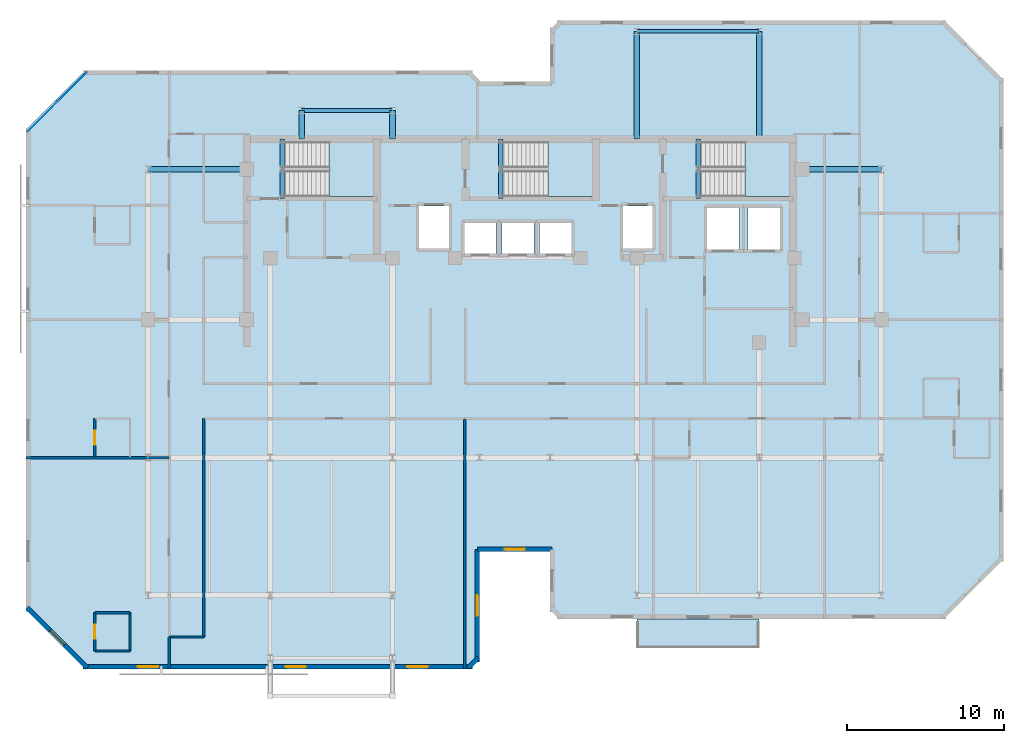
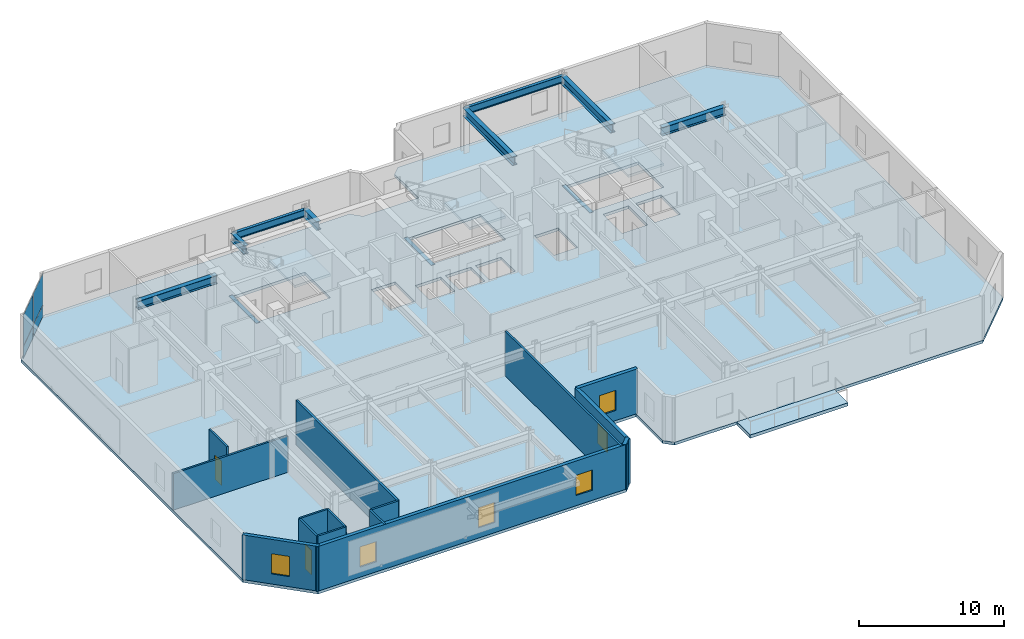
# One storey, part 3 of 10: 15 walls, 11 beams, 6 windows, 5 slabs, 4 plates, 2 doors, 8 openings, 4 elements without a shape of their own.
"""IFC4 building model written with IfcOpenShell, lengths in metres."""

from ifc_helpers import new_model, si_unit, direction, frame, frame_2d, origin, origin_2d, place, context, subcontext, project, spatial, polyline, rectangle, i_section, outline, extrude, material, layer, layer_set, material_profile, profile_set, type_object, element, fill, aggregate, save


model = new_model("IFC4")

# Units and contexts
model_context = context("Model", 3, precision=1e-05, world=origin(), true_north=direction((0.0, 1.0)))
body_context = subcontext(model_context, "Body", "Model", "MODEL_VIEW")
ifc_project = project(units=[si_unit("LENGTHUNIT", "METRE"), si_unit("AREAUNIT", "SQUARE_METRE"), si_unit("VOLUMEUNIT", "CUBIC_METRE"), si_unit("PLANEANGLEUNIT", "RADIAN"), si_unit("MASSUNIT", "GRAM", prefix="KILO")], contexts=[model_context])

# Site, building, storey
site_placement = place(None, origin())
site = spatial("IfcSite", under=ifc_project, at=site_placement, CompositionType="ELEMENT")
building_placement = place(site_placement, origin())
building = spatial("IfcBuilding", under=site, at=building_placement, Name="Kestravale Grand Hotel", CompositionType="ELEMENT")
storey_placement = place(building_placement, frame((0.0, 0.0, 269.39990234375)))
storey = spatial("IfcBuildingStorey", under=building, at=storey_placement, Name="L67", CompositionType="ELEMENT", Elevation=269.39990234375)

# Beams
ifc_material_1 = material(Name="Concrete f'c 45 MPa", Category="concrete")
ifc_material_profile_1 = material_profile(ifc_material_1, rectangle(XDim=0.300048828125, YDim=0.39990234375, at=origin_2d()))
ifc_profile_set_1 = profile_set([ifc_material_profile_1], Name="Concrete f'c 45 MPa")
beam_type_1 = type_object("IfcBeamType", Name="B-FLR-LNT400", PredefinedType="LINTEL", material=ifc_profile_set_1)
for number, where, z_axis, x_axis, name in (
    (1, (24.159912109375, 36.52001953125, -0.199951171875), (0.0, 1.0, 0.0), (-1.0, 0.0, 0.0), "L67 ST1 flight bottom header beam"),
    (2, (38.110107421875, 36.52001953125, -0.199951171875), (0.0, 1.0, 0.0), (-1.0, 0.0, 0.0), "L67 ST2 flight bottom header beam"),
    (3, (50.7099609375, 36.52001953125, -0.199951171875), (0.0, 1.0, 0.0), (-1.0, 0.0, 0.0), "L67 ST3 flight bottom header beam"),
):
    element("IfcBeam", number, at=place(storey_placement, frame(where, z_axis=z_axis, x_axis=x_axis)), inside=storey, type_object=beam_type_1, Name=name, PredefinedType="LINTEL", context=body_context, shape_type="SweptSolid", body=[
        extrude(rectangle(XDim=0.300048828125, YDim=0.39990234375, at=origin_2d()), origin(), (0.0, 0.0, 1.0), 3.800048828125),
    ])
ifc_material_2 = material(Name="Steel ASTM A992 Grade 50", Category="steel")
ifc_material_profile_2 = material_profile(ifc_material_2, i_section(OverallWidth=0.22900390625, OverallDepth=0.612060546875, WebThickness=0.011962890625, FlangeThickness=0.01953125, FilletRadius=0.019287109375, at=origin_2d()))
ifc_profile_set_2 = profile_set([ifc_material_profile_2], Name="Steel ASTM A992 Grade 50")
beam_type_2 = type_object("IfcBeamType", Name="B-FLR-W24B", PredefinedType="SPANDREL", material=ifc_profile_set_2)
beam_1_placement = place(storey_placement, frame((46.800048828125, 47.199951171875, 3.4541015625), z_axis=(1.0, 0.0, 0.0), x_axis=(0.0, 1.0, 0.0)))
element("IfcBeam", 4, at=beam_1_placement, inside=storey, type_object=beam_type_2, Name="L67 spandrel G:8-9", PredefinedType="SPANDREL", context=body_context, shape_type="SweptSolid", body=[
    extrude(i_section(OverallWidth=0.22900390625, OverallDepth=0.612060546875, WebThickness=0.011962890625, FlangeThickness=0.01953125, FilletRadius=0.019287109375, at=origin_2d()), origin(), (0.0, 0.0, 1.0), 7.800048828125),
])
beam_2_placement = place(storey_placement, frame((25.39990234375, 42.14990234375, 3.4541015625), z_axis=(1.0, 0.0, 0.0), x_axis=(0.0, 1.0, 0.0)))
element("IfcBeam", 5, at=beam_2_placement, inside=storey, type_object=beam_type_2, Name="L67 perimeter tie spandrel FN:4-5", PredefinedType="SPANDREL", context=body_context, shape_type="SweptSolid", body=[
    extrude(i_section(OverallWidth=0.22900390625, OverallDepth=0.612060546875, WebThickness=0.011962890625, FlangeThickness=0.01953125, FilletRadius=0.019287109375, at=origin_2d()), origin(), (0.0, 0.0, 1.0), 5.800048828125),
])
ifc_material_3 = material(Name="Steel ASTM A992 Grade 50", Category="steel")
ifc_material_profile_3 = material_profile(ifc_material_3, i_section(OverallWidth=0.35595703125, OverallDepth=0.696044921875, WebThickness=0.015380859375, FlangeThickness=0.02490234375, FilletRadius=0.021240234375, at=origin_2d()))
ifc_profile_set_3 = profile_set([ifc_material_profile_3], Name="Steel ASTM A992 Grade 50")
beam_type_3 = type_object("IfcBeamType", Name="B-GRD-W27", PredefinedType="BEAM", material=ifc_profile_set_3)
beam_3_placement = place(storey_placement, frame((15.60009765625, 38.39990234375, 3.412109375), z_axis=(1.0, 0.0, 0.0), x_axis=(0.0, 1.0, 0.0)))
element("IfcBeam", 6, at=beam_3_placement, inside=storey, type_object=beam_type_3, Name="L67 girder F:3-CW", PredefinedType="BEAM", context=body_context, shape_type="SweptSolid", body=[
    extrude(i_section(OverallWidth=0.35595703125, OverallDepth=0.696044921875, WebThickness=0.015380859375, FlangeThickness=0.02490234375, FilletRadius=0.021240234375, at=origin_2d()), origin(), (0.0, 0.0, 1.0), 6.2998046875),
])
beam_4_placement = place(storey_placement, frame((57.35009765625, 38.39990234375, 3.412109375), z_axis=(1.0, 0.0, 0.0), x_axis=(0.0, 1.0, 0.0)))
element("IfcBeam", 7, at=beam_4_placement, inside=storey, type_object=beam_type_3, Name="L67 girder F:CE-10", PredefinedType="BEAM", context=body_context, shape_type="SweptSolid", body=[
    extrude(i_section(OverallWidth=0.35595703125, OverallDepth=0.696044921875, WebThickness=0.015380859375, FlangeThickness=0.02490234375, FilletRadius=0.021240234375, at=origin_2d()), origin(), (0.0, 0.0, 1.0), 5.0498046875),
])
for number, where, z_axis, x_axis, name in (
    (8, (25.39990234375, 40.320068359375, 3.412109375), (0.0, 1.0, 0.0), (-1.0, 0.0, 0.0), "L67 north wing tie girder 4:CN-FN"),
    (9, (31.199951171875, 40.320068359375, 3.412109375), (0.0, 1.0, 0.0), (-1.0, 0.0, 0.0), "L67 north wing tie girder 5:CN-FN"),
):
    element("IfcBeam", number, at=place(storey_placement, frame(where, z_axis=z_axis, x_axis=x_axis)), inside=storey, type_object=beam_type_3, Name=name, PredefinedType="BEAM", context=body_context, shape_type="SweptSolid", body=[
        extrude(i_section(OverallWidth=0.35595703125, OverallDepth=0.696044921875, WebThickness=0.015380859375, FlangeThickness=0.02490234375, FilletRadius=0.021240234375, at=origin_2d()), origin(), (0.0, 0.0, 1.0), 1.829833984375),
    ])
for number, where, z_axis, x_axis, name in (
    (10, (46.800048828125, 40.320068359375, 3.412109375), (0.0, 1.0, 0.0), (-1.0, 0.0, 0.0), "L67 north wing tie girder 8:CN-G"),
    (11, (54.60009765625, 40.320068359375, 3.412109375), (0.0, 1.0, 0.0), (-1.0, 0.0, 0.0), "L67 north wing tie girder 9:CN-G"),
):
    element("IfcBeam", number, at=place(storey_placement, frame(where, z_axis=z_axis, x_axis=x_axis)), inside=storey, type_object=beam_type_3, Name=name, PredefinedType="BEAM", context=body_context, shape_type="SweptSolid", body=[
        extrude(i_section(OverallWidth=0.35595703125, OverallDepth=0.696044921875, WebThickness=0.015380859375, FlangeThickness=0.02490234375, FilletRadius=0.021240234375, at=origin_2d()), origin(), (0.0, 0.0, 1.0), 6.8798828125),
    ])

# Curtain wall, plates
ifc_material_4 = material(Name="Thermally broken champagne-bronze aluminium and low-E glazing", Category="aluminium")
ifc_layer_1 = layer(ifc_material_4, 0.179931640625)
ifc_layer_set_1 = layer_set([ifc_layer_1], Name="CW-Z4")
curtain_wall_type = type_object("IfcCurtainWallType", Name="CW-Z4", PredefinedType="NOTDEFINED", material=ifc_layer_set_1)
curtain_wall_placement = place(storey_placement, origin())
curtain_wall = element("IfcCurtainWall", 12, at=curtain_wall_placement, inside=storey, type_object=curtain_wall_type, Name="L67 unitised curtain wall 18", PredefinedType="NOTDEFINED")
ifc_material_5 = material(Name="Insulated clear low-E double glazing IGU", Category="glass")
ifc_layer_2 = layer(ifc_material_5, 0.028076171875)
ifc_layer_set_2 = layer_set([ifc_layer_2], Name="CW-PNL-28")
plate_type = type_object("IfcPlateType", Name="CW-PNL-28", PredefinedType="CURTAIN_PANEL", material=ifc_layer_set_2)
plate_1_placement = place(storey_placement, frame((10.74462890625, 43.646728515625, 0.06494140625), z_axis=(0.0, 0.0, 1.0), x_axis=(-0.707106781187, -0.707106781187, 0.0)))
plate_1 = element("IfcPlate", 13, at=plate_1_placement, type_object=plate_type, Name="CW-Z4 panel 1.1", PredefinedType="CURTAIN_PANEL", context=body_context, shape_type="SweptSolid", body=[
    extrude(rectangle(XDim=2.609619140625, YDim=0.028076171875, at=origin_2d()), origin(), (0.0, 0.0, 1.0), 0.952392578125),
])
plate_2_placement = place(storey_placement, frame((10.74462890625, 43.646728515625, 1.08251953125), z_axis=(0.0, 0.0, 1.0), x_axis=(-0.707106781187, -0.707106781187, 0.0)))
plate_2 = element("IfcPlate", 14, at=plate_2_placement, type_object=plate_type, Name="CW-Z4 panel 1.2", PredefinedType="CURTAIN_PANEL", context=body_context, shape_type="SweptSolid", body=[
    extrude(rectangle(XDim=2.609619140625, YDim=0.028076171875, at=origin_2d()), origin(), (0.0, 0.0, 1.0), 2.612548828125),
])
plate_3_placement = place(storey_placement, frame((8.853271484375, 41.75537109375, 0.06494140625), z_axis=(0.0, 0.0, 1.0), x_axis=(-0.707106781187, -0.707106781187, 0.0)))
plate_3 = element("IfcPlate", 15, at=plate_3_placement, type_object=plate_type, Name="CW-Z4 panel 2.1", PredefinedType="CURTAIN_PANEL", context=body_context, shape_type="SweptSolid", body=[
    extrude(rectangle(XDim=2.609619140625, YDim=0.028076171875, at=origin_2d()), origin(), (0.0, 0.0, 1.0), 0.952392578125),
])
plate_4_placement = place(storey_placement, frame((8.853271484375, 41.75537109375, 1.08251953125), z_axis=(0.0, 0.0, 1.0), x_axis=(-0.707106781187, -0.707106781187, 0.0)))
plate_4 = element("IfcPlate", 16, at=plate_4_placement, type_object=plate_type, Name="CW-Z4 panel 2.2", PredefinedType="CURTAIN_PANEL", context=body_context, shape_type="SweptSolid", body=[
    extrude(rectangle(XDim=2.609619140625, YDim=0.028076171875, at=origin_2d()), origin(), (0.0, 0.0, 1.0), 2.612548828125),
])
aggregate(curtain_wall, [plate_1, plate_2, plate_3, plate_4])

# Slab
ifc_material_6 = material(Name="Concrete f'c 45 MPa", Category="concrete")
ifc_layer_3 = layer(ifc_material_6, 0.27001953125)
ifc_layer_set_3 = layer_set([ifc_layer_3], Name="ES-TERR-270")
slab_type_1 = type_object("IfcSlabType", Name="ES-TERR-270", PredefinedType="FLOOR", material=ifc_layer_set_3)
slab_1_placement = place(storey_placement, frame((0.0, 0.0, -0.27001953125)))
element("IfcSlab", 17, at=slab_1_placement, inside=storey, type_object=slab_type_1, Name="L67 spiralling planted garden terrace", PredefinedType="FLOOR", context=body_context, shape_type="SweptSolid", body=[
    extrude(outline(polyline([(46.800048828125, 7.85009765625), (54.60009765625, 7.85009765625), (54.60009765625, 9.699951171875), (46.800048828125, 9.699951171875), (46.800048828125, 7.85009765625)])), origin(), (0.0, 0.0, 1.0), 0.27001953125),
])

# Stair, slab
ifc_material_7 = material(Name="Concrete f'c 45 MPa", Category="concrete")
stair_type = type_object("IfcStairType", Name="ST-CORE-400", PredefinedType="HALF_TURN_STAIR", material=ifc_material_7)
stair_1_placement = place(storey_placement, origin())
stair_1 = element("IfcStair", 18, at=stair_1_placement, inside=storey, type_object=stair_type, Name="L67 ST-1", PredefinedType="HALF_TURN_STAIR")
ifc_material_8 = material(Name="Concrete f'c 45 MPa", Category="concrete")
ifc_layer_4 = layer(ifc_material_8, 0.199951171875)
ifc_layer_set_4 = layer_set([ifc_layer_4], Name="SLB-ST-LND200")
slab_type_2 = type_object("IfcSlabType", Name="SLB-ST-LND200", PredefinedType="LANDING", material=ifc_layer_set_4)
slab_2_placement = place(storey_placement, frame((0.0, 0.0, 1.800048828125)))
slab_2 = element("IfcSlab", 19, at=slab_2_placement, type_object=slab_type_2, Name="ST-1 landing 1", PredefinedType="LANDING", context=body_context, shape_type="SweptSolid", body=[
    extrude(outline(polyline([(27.159912109375, 36.64990234375), (30.0, 36.64990234375), (30.0, 40.159912109375), (27.159912109375, 40.159912109375), (27.159912109375, 36.64990234375)])), origin(), (0.0, 0.0, 1.0), 0.199951171875),
])
aggregate(stair_1, [slab_2])

stair_2_placement = place(storey_placement, origin())
stair_2 = element("IfcStair", 20, at=stair_2_placement, inside=storey, type_object=stair_type, Name="L67 ST-2", PredefinedType="HALF_TURN_STAIR")
slab_3_placement = place(storey_placement, frame((0.0, 0.0, 1.800048828125)))
slab_3 = element("IfcSlab", 21, at=slab_3_placement, type_object=slab_type_2, Name="ST-2 landing 1", PredefinedType="LANDING", context=body_context, shape_type="SweptSolid", body=[
    extrude(outline(polyline([(41.110107421875, 36.64990234375), (43.949951171875, 36.64990234375), (43.949951171875, 40.159912109375), (41.110107421875, 40.159912109375), (41.110107421875, 36.64990234375)])), origin(), (0.0, 0.0, 1.0), 0.199951171875),
])
aggregate(stair_2, [slab_3])

stair_3_placement = place(storey_placement, origin())
stair_3 = element("IfcStair", 22, at=stair_3_placement, inside=storey, type_object=stair_type, Name="L67 ST-3", PredefinedType="HALF_TURN_STAIR")
slab_4_placement = place(storey_placement, frame((0.0, 0.0, 1.800048828125)))
slab_4 = element("IfcSlab", 23, at=slab_4_placement, type_object=slab_type_2, Name="ST-3 landing 1", PredefinedType="LANDING", context=body_context, shape_type="SweptSolid", body=[
    extrude(outline(polyline([(53.7099609375, 36.64990234375), (56.550048828125, 36.64990234375), (56.550048828125, 40.159912109375), (53.7099609375, 40.159912109375), (53.7099609375, 36.64990234375)])), origin(), (0.0, 0.0, 1.0), 0.199951171875),
])
aggregate(stair_3, [slab_4])

# Slab
ifc_material_9 = material(Name="Concrete f'c 45 MPa", Category="concrete")
ifc_layer_5 = layer(ifc_material_9, 0.239990234375)
ifc_layer_set_5 = layer_set([ifc_layer_5], Name="SS-FLR-240")
slab_type_3 = type_object("IfcSlabType", Name="SS-FLR-240", PredefinedType="FLOOR", material=ifc_layer_set_5)
slab_5_placement = place(storey_placement, frame((0.0, 0.0, -0.239990234375)))
element("IfcSlab", 24, at=slab_5_placement, inside=storey, type_object=slab_type_3, Name="L67 structural floor slab", PredefinedType="FLOOR", context=body_context, shape_type="SweptSolid", body=[
    extrude(outline(polyline([(11.60009765625, 6.5), (36.14990234375, 6.5), (36.75, 7.10009765625), (36.75, 14.0), (41.25, 14.0), (41.25, 10.300048828125), (41.85009765625, 9.699951171875), (66.39990234375, 9.699951171875), (70.199951171875, 13.5), (70.199951171875, 44.10009765625), (66.39990234375, 47.89990234375), (41.85009765625, 47.89990234375), (41.25, 47.300048828125), (41.25, 44.0), (36.75, 44.0), (36.75, 44.10009765625), (36.14990234375, 44.699951171875), (11.60009765625, 44.699951171875), (7.800048828125, 40.89990234375), (7.800048828125, 10.300048828125), (11.60009765625, 6.5)]), holes=[polyline([(24.080078125, 36.64990234375), (30.0, 36.64990234375), (30.0, 40.159912109375), (24.080078125, 40.159912109375), (24.080078125, 36.64990234375)]), polyline([(38.030029296875, 36.64990234375), (43.949951171875, 36.64990234375), (43.949951171875, 40.159912109375), (38.030029296875, 40.159912109375), (38.030029296875, 36.64990234375)]), polyline([(50.6298828125, 36.64990234375), (56.550048828125, 36.64990234375), (56.550048828125, 40.159912109375), (50.6298828125, 40.159912109375), (50.6298828125, 36.64990234375)]), polyline([(35.780029296875, 33.030029296875), (37.820068359375, 33.030029296875), (37.820068359375, 34.969970703125), (35.780029296875, 34.969970703125), (35.780029296875, 33.030029296875)]), polyline([(38.179931640625, 33.030029296875), (40.219970703125, 33.030029296875), (40.219970703125, 34.969970703125), (38.179931640625, 34.969970703125), (38.179931640625, 33.030029296875)]), polyline([(40.580078125, 33.030029296875), (42.6201171875, 33.030029296875), (42.6201171875, 34.969970703125), (40.580078125, 34.969970703125), (40.580078125, 33.030029296875)]), polyline([(32.905029296875, 33.35498046875), (34.794921875, 33.35498046875), (34.794921875, 36.044921875), (32.905029296875, 36.044921875), (32.905029296875, 33.35498046875)]), polyline([(45.905029296875, 33.35498046875), (47.794921875, 33.35498046875), (47.794921875, 36.044921875), (45.905029296875, 36.044921875), (45.905029296875, 33.35498046875)]), polyline([(51.280029296875, 33.280029296875), (53.320068359375, 33.280029296875), (53.320068359375, 35.919921875), (51.280029296875, 35.919921875), (51.280029296875, 33.280029296875)]), polyline([(53.8798828125, 33.280029296875), (55.919921875, 33.280029296875), (55.919921875, 35.919921875), (53.8798828125, 35.919921875), (53.8798828125, 33.280029296875)])]), origin(), (0.0, 0.0, 1.0), 0.239990234375),
])

# Wall, openings, windows
ifc_material_10 = material(Name="Precast concrete f'c 45 MPa", Category="concrete")
ifc_layer_6 = layer(ifc_material_10, 0.280029296875)
ifc_layer_set_6 = layer_set([ifc_layer_6], Name="EW-PREC-280")
wall_type_1 = type_object("IfcWallType", Name="EW-PREC-280", PredefinedType="SOLIDWALL", material=ifc_layer_set_6)
wall_1_placement = place(storey_placement, frame((11.4599609375, 6.639892578125, 0.0), z_axis=(0.0, 0.0, 1.0), x_axis=(1.0, 0.0, 0.0)))
wall_1 = element("IfcWall", 25, at=wall_1_placement, inside=storey, type_object=wall_type_1, Name="L67 fluted precast facade wall 1", PredefinedType="SOLIDWALL", context=body_context, shape_type="SweptSolid", body=[
    extrude(rectangle(XDim=24.830078125, YDim=0.280029296875, at=frame_2d((12.4150390625, 0.0))), origin(), (0.0, 0.0, 1.0), 3.760009765625),
])
opening_1_placement = place(wall_1_placement, frame((3.48828125, 0.0, 0.85009765625)))
opening_1 = element("IfcOpeningElement", 26, at=opening_1_placement, cuts=wall_1, Name="Opening W-GUEST-1300", PredefinedType="OPENING", context=body_context, shape_type="SweptSolid", body=[
    extrude(rectangle(XDim=1.300048828125, YDim=1.699951171875, at=frame_2d((0.64990234375, 0.85009765625))), frame((0.0, 0.14990234375, 0.0), z_axis=(0.0, -1.0, 0.0), x_axis=(1.0, 0.0, 0.0)), (0.0, 0.0, 1.0), 0.300048828125),
])
opening_2_placement = place(wall_1_placement, frame((12.9150390625, 0.0, 0.85009765625)))
opening_2 = element("IfcOpeningElement", 27, at=opening_2_placement, cuts=wall_1, Name="Opening W-GUEST-1300", PredefinedType="OPENING", context=body_context, shape_type="SweptSolid", body=[
    extrude(rectangle(XDim=1.300048828125, YDim=1.699951171875, at=frame_2d((0.64990234375, 0.85009765625))), frame((0.0, 0.14990234375, 0.0), z_axis=(0.0, -1.0, 0.0), x_axis=(1.0, 0.0, 0.0)), (0.0, 0.0, 1.0), 0.300048828125),
])
opening_3_placement = place(wall_1_placement, frame((20.691650390625, 0.0, 0.85009765625)))
opening_3 = element("IfcOpeningElement", 28, at=opening_3_placement, cuts=wall_1, Name="Opening W-GUEST-1300", PredefinedType="OPENING", context=body_context, shape_type="SweptSolid", body=[
    extrude(rectangle(XDim=1.300048828125, YDim=1.699951171875, at=frame_2d((0.64990234375, 0.85009765625))), frame((0.0, 0.14990234375, 0.0), z_axis=(0.0, -1.0, 0.0), x_axis=(1.0, 0.0, 0.0)), (0.0, 0.0, 1.0), 0.300048828125),
])
ifc_material_11 = material(Name="Insulated low-E double glazing in aluminium frame", Category="aluminium")
window_type = type_object("IfcWindowType", Name="W-GUEST-1300", PartitioningType="SINGLE_PANEL", PredefinedType="WINDOW", material=ifc_material_11)
window_1_placement = place(opening_1_placement, origin())
window_1 = element("IfcWindow", 29, at=window_1_placement, inside=storey, type_object=window_type, Name="L67 exterior window 1.1", OverallHeight=1.699951171875, OverallWidth=1.300048828125, PartitioningType="SINGLE_PANEL", PredefinedType="WINDOW", context=body_context, shape_type="SweptSolid", body=[
    extrude(rectangle(XDim=1.300048828125, YDim=1.699951171875, at=frame_2d((0.64990234375, 0.85009765625))), frame((0.0, 0.030029296875, 0.0), z_axis=(0.0, -1.0, 0.0), x_axis=(1.0, 0.0, 0.0)), (0.0, 0.0, 1.0), 0.06005859375),
])
fill(opening_1, window_1)
window_2_placement = place(opening_2_placement, origin())
window_2 = element("IfcWindow", 30, at=window_2_placement, inside=storey, type_object=window_type, Name="L67 exterior window 1.2", OverallHeight=1.699951171875, OverallWidth=1.300048828125, PartitioningType="SINGLE_PANEL", PredefinedType="WINDOW", context=body_context, shape_type="SweptSolid", body=[
    extrude(rectangle(XDim=1.300048828125, YDim=1.699951171875, at=frame_2d((0.64990234375, 0.85009765625))), frame((0.0, 0.030029296875, 0.0), z_axis=(0.0, -1.0, 0.0), x_axis=(1.0, 0.0, 0.0)), (0.0, 0.0, 1.0), 0.06005859375),
])
fill(opening_2, window_2)
window_3_placement = place(opening_3_placement, origin())
window_3 = element("IfcWindow", 31, at=window_3_placement, inside=storey, type_object=window_type, Name="L67 exterior window 1.3", OverallHeight=1.699951171875, OverallWidth=1.300048828125, PartitioningType="SINGLE_PANEL", PredefinedType="WINDOW", context=body_context, shape_type="SweptSolid", body=[
    extrude(rectangle(XDim=1.300048828125, YDim=1.699951171875, at=frame_2d((0.64990234375, 0.85009765625))), frame((0.0, 0.030029296875, 0.0), z_axis=(0.0, -1.0, 0.0), x_axis=(1.0, 0.0, 0.0)), (0.0, 0.0, 1.0), 0.06005859375),
])
fill(opening_3, window_3)

# Wall
wall_2_placement = place(storey_placement, frame((36.022705078125, 6.57080078125, 0.0), z_axis=(0.0, 0.0, 1.0), x_axis=(0.707106781187, 0.707106781187, 0.0)))
element("IfcWall", 32, at=wall_2_placement, inside=storey, type_object=wall_type_1, Name="L67 fluted precast facade wall 2", PredefinedType="SOLIDWALL", context=body_context, shape_type="SweptSolid", body=[
    extrude(rectangle(XDim=0.928466796875, YDim=0.280029296875, at=frame_2d((0.46435546875, 0.0))), origin(), (0.0, 0.0, 1.0), 3.760009765625),
])

# Wall, opening, window
wall_3_placement = place(storey_placement, frame((36.610107421875, 6.9599609375, 0.0), z_axis=(0.0, 0.0, 1.0), x_axis=(0.0, 1.0, 0.0)))
wall_3 = element("IfcWall", 33, at=wall_3_placement, inside=storey, type_object=wall_type_1, Name="L67 fluted precast facade wall 3", PredefinedType="SOLIDWALL", context=body_context, shape_type="SweptSolid", body=[
    extrude(rectangle(XDim=7.179931640625, YDim=0.280029296875, at=frame_2d((3.58984375, 0.0))), origin(), (0.0, 0.0, 1.0), 3.760009765625),
])
opening_4_placement = place(wall_3_placement, frame((2.93994140625, 0.0, 0.85009765625)))
opening_4 = element("IfcOpeningElement", 34, at=opening_4_placement, cuts=wall_3, Name="Opening W-GUEST-1300", PredefinedType="OPENING", context=body_context, shape_type="SweptSolid", body=[
    extrude(rectangle(XDim=1.300048828125, YDim=1.699951171875, at=frame_2d((0.64990234375, 0.85009765625))), frame((0.0, 0.14990234375, 0.0), z_axis=(0.0, -1.0, 0.0), x_axis=(1.0, 0.0, 0.0)), (0.0, 0.0, 1.0), 0.300048828125),
])
window_4_placement = place(opening_4_placement, origin())
window_4 = element("IfcWindow", 35, at=window_4_placement, inside=storey, type_object=window_type, Name="L67 exterior window 3.1", OverallHeight=1.699951171875, OverallWidth=1.300048828125, PartitioningType="SINGLE_PANEL", PredefinedType="WINDOW", context=body_context, shape_type="SweptSolid", body=[
    extrude(rectangle(XDim=1.300048828125, YDim=1.699951171875, at=frame_2d((0.64990234375, 0.85009765625))), frame((0.0, 0.030029296875, 0.0), z_axis=(0.0, -1.0, 0.0), x_axis=(1.0, 0.0, 0.0)), (0.0, 0.0, 1.0), 0.06005859375),
])
fill(opening_4, window_4)

wall_4_placement = place(storey_placement, frame((36.610107421875, 14.139892578125, 0.0), z_axis=(0.0, 0.0, 1.0), x_axis=(1.0, 0.0, 0.0)))
wall_4 = element("IfcWall", 36, at=wall_4_placement, inside=storey, type_object=wall_type_1, Name="L67 fluted precast facade wall 4", PredefinedType="SOLIDWALL", context=body_context, shape_type="SweptSolid", body=[
    extrude(rectangle(XDim=4.77978515625, YDim=0.280029296875, at=frame_2d((2.389892578125, 0.0))), origin(), (0.0, 0.0, 1.0), 3.760009765625),
])
opening_5_placement = place(wall_4_placement, frame((1.739990234375, 0.0, 0.85009765625)))
opening_5 = element("IfcOpeningElement", 37, at=opening_5_placement, cuts=wall_4, Name="Opening W-GUEST-1300", PredefinedType="OPENING", context=body_context, shape_type="SweptSolid", body=[
    extrude(rectangle(XDim=1.300048828125, YDim=1.699951171875, at=frame_2d((0.64990234375, 0.85009765625))), frame((0.0, 0.14990234375, 0.0), z_axis=(0.0, -1.0, 0.0), x_axis=(1.0, 0.0, 0.0)), (0.0, 0.0, 1.0), 0.300048828125),
])
window_5_placement = place(opening_5_placement, origin())
window_5 = element("IfcWindow", 38, at=window_5_placement, inside=storey, type_object=window_type, Name="L67 exterior window 4.1", OverallHeight=1.699951171875, OverallWidth=1.300048828125, PartitioningType="SINGLE_PANEL", PredefinedType="WINDOW", context=body_context, shape_type="SweptSolid", body=[
    extrude(rectangle(XDim=1.300048828125, YDim=1.699951171875, at=frame_2d((0.64990234375, 0.85009765625))), frame((0.0, 0.030029296875, 0.0), z_axis=(0.0, -1.0, 0.0), x_axis=(1.0, 0.0, 0.0)), (0.0, 0.0, 1.0), 0.06005859375),
])
fill(opening_5, window_5)

wall_5_placement = place(storey_placement, frame((7.87060546875, 10.42724609375, 0.0), z_axis=(0.0, 0.0, 1.0), x_axis=(0.707129162587, -0.707084399077, 0.0)))
wall_5 = element("IfcWall", 39, at=wall_5_placement, inside=storey, type_object=wall_type_1, Name="L67 fluted precast facade wall 20", PredefinedType="SOLIDWALL", context=body_context, shape_type="SweptSolid", body=[
    extrude(rectangle(XDim=5.4541015625, YDim=0.280029296875, at=frame_2d((2.72705078125, 0.0))), origin(), (0.0, 0.0, 1.0), 3.760009765625),
])
opening_6_placement = place(wall_5_placement, frame((2.076904296875, 0.0, 0.85009765625)))
opening_6 = element("IfcOpeningElement", 40, at=opening_6_placement, cuts=wall_5, Name="Opening W-GUEST-1300", PredefinedType="OPENING", context=body_context, shape_type="SweptSolid", body=[
    extrude(rectangle(XDim=1.300048828125, YDim=1.699951171875, at=frame_2d((0.64990234375, 0.85009765625))), frame((0.0, 0.14990234375, 0.0), z_axis=(0.0, -1.0, 0.0), x_axis=(1.0, 0.0, 0.0)), (0.0, 0.0, 1.0), 0.300048828125),
])
window_6_placement = place(opening_6_placement, origin())
window_6 = element("IfcWindow", 41, at=window_6_placement, inside=storey, type_object=window_type, Name="L67 exterior window 20.1", OverallHeight=1.699951171875, OverallWidth=1.300048828125, PartitioningType="SINGLE_PANEL", PredefinedType="WINDOW", context=body_context, shape_type="SweptSolid", body=[
    extrude(rectangle(XDim=1.300048828125, YDim=1.699951171875, at=frame_2d((0.64990234375, 0.85009765625))), frame((0.0, 0.030029296875, 0.0), z_axis=(0.0, -1.0, 0.0), x_axis=(1.0, 0.0, 0.0)), (0.0, 0.0, 1.0), 0.06005859375),
])
fill(opening_6, window_6)

# Wall
ifc_material_12 = material(Name="Acoustic fire-rated gypsum board partition", Category="other")
ifc_layer_7 = layer(ifc_material_12, 0.159912109375)
ifc_layer_set_7 = layer_set([ifc_layer_7], Name="IW-CORR-160")
wall_type_2 = type_object("IfcWallType", Name="IW-CORR-160", PredefinedType="PARTITIONING", material=ifc_layer_set_7)
wall_6_placement = place(storey_placement, frame((19.159912109375, 8.550048828125, 0.0), z_axis=(0.0, 0.0, 1.0), x_axis=(0.0, 1.0, 0.0)))
element("IfcWall", 42, at=wall_6_placement, inside=storey, type_object=wall_type_2, Name="W-L67-SW-E", PredefinedType="PARTITIONING", context=body_context, shape_type="SweptSolid", body=[
    extrude(rectangle(XDim=13.93994140625, YDim=0.159912109375, at=frame_2d((6.969970703125, 0.0))), origin(), (0.0, 0.0, 1.0), 3.760009765625),
])

# Wall, opening, door
ifc_material_13 = material(Name="Moisture-resistant tile-backer plumbing chase wall", Category="other")
ifc_layer_8 = layer(ifc_material_13, 0.139892578125)
ifc_layer_set_8 = layer_set([ifc_layer_8], Name="IW-PLB-140")
wall_type_3 = type_object("IfcWallType", Name="IW-PLB-140", PredefinedType="PLUMBINGWALL", material=ifc_layer_set_8)
wall_7_placement = place(storey_placement, frame((12.199951171875, 7.64990234375, 0.0), z_axis=(0.0, 0.0, 1.0), x_axis=(0.0, 1.0, 0.0)))
wall_7 = element("IfcWall", 43, at=wall_7_placement, inside=storey, type_object=wall_type_3, Name="W-L67-U02-BW", PredefinedType="PLUMBINGWALL", context=body_context, shape_type="SweptSolid", body=[
    extrude(rectangle(XDim=2.4501953125, YDim=0.139892578125, at=frame_2d((1.22509765625, 0.0))), origin(), (0.0, 0.0, 1.0), 3.760009765625),
])
opening_7_placement = place(wall_7_placement, frame((0.784912109375, 0.0, 0.0)))
opening_7 = element("IfcOpeningElement", 44, at=opening_7_placement, cuts=wall_7, Name="Opening D-BATH-880", PredefinedType="OPENING", context=body_context, shape_type="SweptSolid", body=[
    extrude(rectangle(XDim=0.8798828125, YDim=2.050048828125, at=frame_2d((0.43994140625, 1.02490234375))), frame((0.0, 0.079833984375, 0.0), z_axis=(0.0, -1.0, 0.0), x_axis=(1.0, 0.0, 0.0)), (0.0, 0.0, 1.0), 0.159912109375),
])
ifc_material_14 = material(Name="Moisture-sealed walnut en-suite bathroom door", Category="wood")
door_type = type_object("IfcDoorType", Name="D-BATH-880", OperationType="NOTDEFINED", PredefinedType="DOOR", material=ifc_material_14)
door_1_placement = place(opening_7_placement, origin())
door_1 = element("IfcDoor", 45, at=door_1_placement, inside=storey, type_object=door_type, Name="D-L67-U02-BATH", OperationType="SINGLE_SWING_RIGHT", OverallHeight=2.050048828125, OverallWidth=0.8798828125, PredefinedType="DOOR", context=body_context, shape_type="SweptSolid", body=[
    extrude(rectangle(XDim=0.8798828125, YDim=2.050048828125, at=frame_2d((0.43994140625, 1.02490234375))), frame((0.0, 0.02490234375, 0.0), z_axis=(0.0, -1.0, 0.0), x_axis=(1.0, 0.0, 0.0)), (0.0, 0.0, 1.0), 0.050048828125),
])
fill(opening_7, door_1)

# Walls
wall_8_placement = place(storey_placement, frame((14.449951171875, 7.64990234375, 0.0), z_axis=(0.0, 0.0, 1.0), x_axis=(0.0, 1.0, 0.0)))
element("IfcWall", 46, at=wall_8_placement, inside=storey, type_object=wall_type_3, Name="W-L67-U02-BE", PredefinedType="PLUMBINGWALL", context=body_context, shape_type="SweptSolid", body=[
    extrude(rectangle(XDim=2.4501953125, YDim=0.139892578125, at=frame_2d((1.22509765625, 0.0))), origin(), (0.0, 0.0, 1.0), 3.760009765625),
])
for number, where, z_axis, x_axis, name in (
    (47, (12.199951171875, 7.64990234375, 0.0), (0.0, 0.0, 1.0), (1.0, 0.0, 0.0), "W-L67-U02-BS"),
    (48, (12.199951171875, 10.10009765625, 0.0), (0.0, 0.0, 1.0), (1.0, 0.0, 0.0), "W-L67-U02-BN"),
):
    element("IfcWall", number, at=place(storey_placement, frame(where, z_axis=z_axis, x_axis=x_axis)), inside=storey, type_object=wall_type_3, Name=name, PredefinedType="PLUMBINGWALL", context=body_context, shape_type="SweptSolid", body=[
        extrude(rectangle(XDim=2.25, YDim=0.139892578125, at=frame_2d((1.125, 0.0))), origin(), (0.0, 0.0, 1.0), 3.760009765625),
    ])

# Wall, opening, door
wall_9_placement = place(storey_placement, frame((12.199951171875, 20.0400390625, 0.0), z_axis=(0.0, 0.0, 1.0), x_axis=(0.0, 1.0, 0.0)))
wall_9 = element("IfcWall", 49, at=wall_9_placement, inside=storey, type_object=wall_type_3, Name="W-L67-U03-BW", PredefinedType="PLUMBINGWALL", context=body_context, shape_type="SweptSolid", body=[
    extrude(rectangle(XDim=2.449951171875, YDim=0.139892578125, at=frame_2d((1.22509765625, 0.0))), origin(), (0.0, 0.0, 1.0), 3.760009765625),
])
opening_8_placement = place(wall_9_placement, frame((0.784912109375, 0.0, 0.0)))
opening_8 = element("IfcOpeningElement", 50, at=opening_8_placement, cuts=wall_9, Name="Opening D-BATH-880", PredefinedType="OPENING", context=body_context, shape_type="SweptSolid", body=[
    extrude(rectangle(XDim=0.8798828125, YDim=2.050048828125, at=frame_2d((0.43994140625, 1.02490234375))), frame((0.0, 0.079833984375, 0.0), z_axis=(0.0, -1.0, 0.0), x_axis=(1.0, 0.0, 0.0)), (0.0, 0.0, 1.0), 0.159912109375),
])
door_2_placement = place(opening_8_placement, origin())
door_2 = element("IfcDoor", 51, at=door_2_placement, inside=storey, type_object=door_type, Name="D-L67-U03-BATH", OperationType="SINGLE_SWING_RIGHT", OverallHeight=2.050048828125, OverallWidth=0.8798828125, PredefinedType="DOOR", context=body_context, shape_type="SweptSolid", body=[
    extrude(rectangle(XDim=0.8798828125, YDim=2.050048828125, at=frame_2d((0.43994140625, 1.02490234375))), frame((0.0, 0.02490234375, 0.0), z_axis=(0.0, -1.0, 0.0), x_axis=(1.0, 0.0, 0.0)), (0.0, 0.0, 1.0), 0.050048828125),
])
fill(opening_8, door_2)

# Walls
ifc_material_15 = material(Name="Double-stud STC 52 acoustic demising partition", Category="other")
ifc_layer_9 = layer(ifc_material_15, 0.14990234375)
ifc_layer_set_9 = layer_set([ifc_layer_9], Name="IW-UNIT-150")
wall_type_4 = type_object("IfcWallType", Name="IW-UNIT-150", PredefinedType="PARTITIONING", material=ifc_layer_set_9)
wall_10_placement = place(storey_placement, frame((16.93994140625, 8.550048828125, 0.0), z_axis=(0.0, 0.0, 1.0), x_axis=(1.0, 0.0, 0.0)))
element("IfcWall", 52, at=wall_10_placement, inside=storey, type_object=wall_type_4, Name="W-L67-SW-S", PredefinedType="PARTITIONING", context=body_context, shape_type="SweptSolid", body=[
    extrude(rectangle(XDim=2.219970703125, YDim=0.14990234375, at=frame_2d((1.10986328125, 0.0))), origin(), (0.0, 0.0, 1.0), 3.760009765625),
])
wall_11_placement = place(storey_placement, frame((35.800048828125, 6.52001953125, 0.0), z_axis=(0.0, 0.0, 1.0), x_axis=(0.0, 1.0, 0.0)))
element("IfcWall", 53, at=wall_11_placement, inside=storey, type_object=wall_type_4, Name="W-L67-MID-S", PredefinedType="PARTITIONING", context=body_context, shape_type="SweptSolid", body=[
    extrude(rectangle(XDim=15.949951171875, YDim=0.14990234375, at=frame_2d((7.97509765625, 0.0))), origin(), (0.0, 0.0, 1.0), 3.760009765625),
])
wall_12_placement = place(storey_placement, frame((16.93994140625, 6.52001953125, 0.0), z_axis=(0.0, 0.0, 1.0), x_axis=(0.0, 1.0, 0.0)))
element("IfcWall", 54, at=wall_12_placement, inside=storey, type_object=wall_type_4, Name="W-L67-SW-EXT", PredefinedType="PARTITIONING", context=body_context, shape_type="SweptSolid", body=[
    extrude(rectangle(XDim=2.030029296875, YDim=0.14990234375, at=frame_2d((1.01513671875, 0.0))), origin(), (0.0, 0.0, 1.0), 3.760009765625),
])
wall_13_placement = place(storey_placement, frame((7.820068359375, 20.0, 0.0), z_axis=(0.0, 0.0, 1.0), x_axis=(1.0, 0.0, 0.0)))
element("IfcWall", 55, at=wall_13_placement, inside=storey, type_object=wall_type_4, Name="W-L67-WW-1", PredefinedType="PARTITIONING", context=body_context, shape_type="SweptSolid", body=[
    extrude(rectangle(XDim=9.119873046875, YDim=0.14990234375, at=frame_2d((4.56005859375, 0.0))), origin(), (0.0, 0.0, 1.0), 3.064208984375),
])

save(model, "model.ifc")
